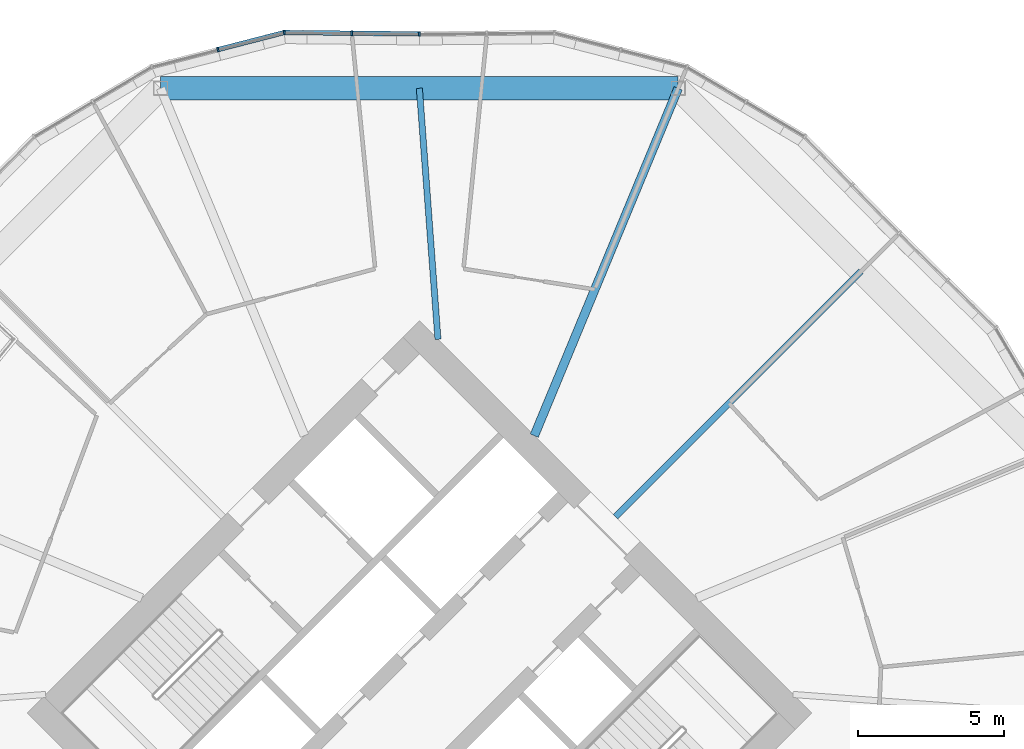
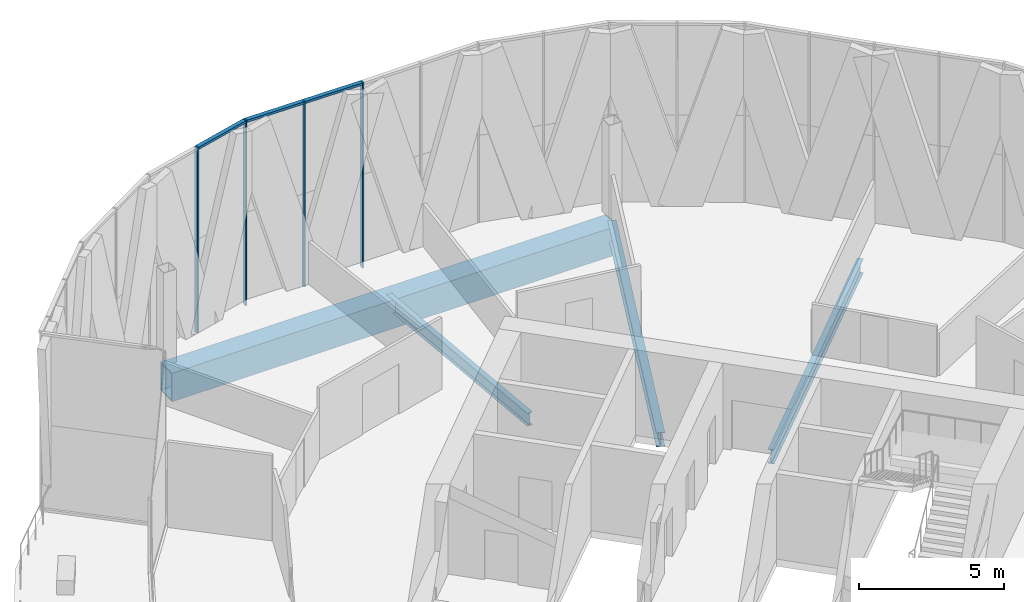
# One storey, part 16 of 31: 7 members, 4 beams, 2 elements without a shape of their own.
"""IFC4 building model written with IfcOpenShell, lengths in metres."""

from ifc_helpers import new_model, si_unit, direction, frame, origin, origin_2d, place, context, subcontext, project, spatial, rectangle, hollow_rectangle, i_section, extrude, material, material_profile, profile_set, type_object, element, aggregate, save


model = new_model("IFC4")

# Units and contexts
model_context = context("Model", 3, precision=1e-05, world=origin(), true_north=direction((0.0, 1.0)))
body_context = subcontext(model_context, "Body", "Model", "MODEL_VIEW")
ifc_project = project(units=[si_unit("LENGTHUNIT", "METRE"), si_unit("AREAUNIT", "SQUARE_METRE"), si_unit("VOLUMEUNIT", "CUBIC_METRE"), si_unit("PLANEANGLEUNIT", "RADIAN"), si_unit("MASSUNIT", "GRAM", prefix="KILO")], contexts=[model_context])

# Site, building, storey
site_placement = place(None, origin())
site = spatial("IfcSite", under=ifc_project, at=site_placement, CompositionType="ELEMENT")
building_placement = place(site_placement, origin())
building = spatial("IfcBuilding", under=site, at=building_placement, Name="Ogive Gate Towers", CompositionType="ELEMENT")
storey_placement = place(building_placement, frame((0.0, 0.0, 107.39990234375)))
storey = spatial("IfcBuildingStorey", under=building, at=storey_placement, Name="L25", CompositionType="ELEMENT", Elevation=107.39990234375)

# Beams
ifc_material_1 = material(Name="Steel SM460", Category="steel")
ifc_material_profile_1 = material_profile(ifc_material_1, hollow_rectangle(XDim=0.800048828125, YDim=1.199951171875, WallThickness=0.050048828125, at=origin_2d()), Name="BX 1200x800x50")
ifc_profile_set_1 = profile_set([ifc_material_profile_1], Name="Steel SM460")
beam_type_1 = type_object("IfcBeamType", Name="Edge girder BX 1200x800x50", PredefinedType="BEAM", material=ifc_profile_set_1)
beam_1_placement = place(storey_placement, frame((44.863037109375, 21.39697265625, -0.89990234375), z_axis=(-1.0, 0.0, 0.0), x_axis=(0.0, -1.0, 0.0)))
element("IfcBeam", 1, at=beam_1_placement, inside=storey, type_object=beam_type_1, Name="T2/L25/SBM022", PredefinedType="BEAM", context=body_context, shape_type="SweptSolid", body=[
    extrude(hollow_rectangle(XDim=0.800048828125, YDim=1.199951171875, WallThickness=0.050048828125, at=origin_2d()), origin(), (0.0, 0.0, 1.0), 17.72607421875),
])
ifc_material_2 = material(Name="Steel SM355", Category="steel")
ifc_material_profile_2 = material_profile(ifc_material_2, i_section(OverallWidth=0.300048828125, OverallDepth=0.590087890625, WebThickness=0.012939453125, FlangeThickness=0.02490234375, FilletRadius=0.027099609375, at=origin_2d()), Name="HE 600 A")
ifc_profile_set_2 = profile_set([ifc_material_profile_2], Name="Steel SM355")
beam_type_2 = type_object("IfcBeamType", Name="Radial floor beam HE 600 A", PredefinedType="BEAM", material=ifc_profile_set_2)
beam_2_placement = place(storey_placement, frame((39.93505859375, 9.5, -0.594970703125), z_axis=(0.382689470177, 0.923877031545, 0.0), x_axis=(-0.923877031545, 0.382689470177, 0.0)))
element("IfcBeam", 2, at=beam_2_placement, inside=storey, type_object=beam_type_2, Name="T2/L25/SBM011", PredefinedType="BEAM", context=body_context, shape_type="SweptSolid", body=[
    extrude(i_section(OverallWidth=0.300048828125, OverallDepth=0.590087890625, WebThickness=0.012939453125, FlangeThickness=0.02490234375, FilletRadius=0.027099609375, at=origin_2d()), origin(), (0.0, 0.0, 1.0), 12.877197265625),
])
ifc_material_profile_3 = material_profile(ifc_material_2, i_section(OverallWidth=0.2099609375, OverallDepth=0.550048828125, WebThickness=0.010986328125, FlangeThickness=0.01708984375, FilletRadius=0.02392578125, at=origin_2d()), Name="IPE 550")
ifc_profile_set_3 = profile_set([ifc_material_profile_3], Name="Steel SM355")
beam_type_3 = type_object("IfcBeamType", Name="Radial floor beam IPE 550", PredefinedType="BEAM", material=ifc_profile_set_3)
beam_3_placement = place(storey_placement, frame((36.636474609375, 12.798583984375, -0.574951171875), z_axis=(-0.07382057702, 0.997271538954, 0.0), x_axis=(-0.997271538954, -0.07382057702, 0.0)))
element("IfcBeam", 3, at=beam_3_placement, inside=storey, type_object=beam_type_3, Name="T2/L25/SBM012", PredefinedType="BEAM", context=body_context, shape_type="SweptSolid", body=[
    extrude(i_section(OverallWidth=0.2099609375, OverallDepth=0.550048828125, WebThickness=0.010986328125, FlangeThickness=0.01708984375, FilletRadius=0.02392578125, at=origin_2d()), origin(), (0.0, 0.0, 1.0), 8.621826171875),
])
ifc_material_profile_4 = material_profile(ifc_material_2, i_section(OverallWidth=0.219970703125, OverallDepth=0.60009765625, WebThickness=0.011962890625, FlangeThickness=0.01904296875, FilletRadius=0.02392578125, at=origin_2d()), Name="IPE 600")
ifc_profile_set_4 = profile_set([ifc_material_profile_4], Name="Steel SM355")
beam_type_4 = type_object("IfcBeamType", Name="Radial floor beam IPE 600", PredefinedType="BEAM", material=ifc_profile_set_4)
beam_4_placement = place(storey_placement, frame((42.717529296875, 6.717529296875, -0.599853515625), z_axis=(0.707106781187, 0.707106781187, 0.0), x_axis=(-0.707106781187, 0.707106781187, 0.0)))
element("IfcBeam", 4, at=beam_4_placement, inside=storey, type_object=beam_type_4, Name="T2/L25/SBM010", PredefinedType="BEAM", context=body_context, shape_type="SweptSolid", body=[
    extrude(i_section(OverallWidth=0.219970703125, OverallDepth=0.60009765625, WebThickness=0.011962890625, FlangeThickness=0.01904296875, FilletRadius=0.02392578125, at=origin_2d()), origin(), (0.0, 0.0, 1.0), 11.89697265625),
])

# Curtain wall, member
ifc_material_3 = material(Name="Pale metal aluminium", Category="aluminium")
curtain_wall_type = type_object("IfcCurtainWallType", Name="Tower unitised wall, low zone", PredefinedType="NOTDEFINED", material=ifc_material_3)
curtain_wall_1_placement = place(storey_placement, origin())
curtain_wall_1 = element("IfcCurtainWall", 5, at=curtain_wall_1_placement, inside=storey, type_object=curtain_wall_type, Name="CW1 T2 ECW04", PredefinedType="NOTDEFINED")
ifc_material_profile_5 = material_profile(ifc_material_3, rectangle(XDim=0.159912109375, YDim=0.06005859375, at=origin_2d()), Name="60 x 160 aluminium box")
ifc_profile_set_5 = profile_set([ifc_material_profile_5], Name="Pale metal aluminium")
member_type_1 = type_object("IfcMemberType", Name="Tower unitised wall, low zone mullion 60 x 160", PredefinedType="MULLION", material=ifc_profile_set_5)
member_1_placement = place(storey_placement, frame((35.999755859375, 23.260009765625, -0.2998046875), z_axis=(0.0, 0.0, 1.0), x_axis=(0.009895855338, -0.999951034825, 0.0)))
member_1 = element("IfcMember", 6, at=member_1_placement, type_object=member_type_1, Name="CW1 mullion", PredefinedType="MULLION", context=body_context, shape_type="SweptSolid", body=[
    extrude(rectangle(XDim=0.159912109375, YDim=0.06005859375, at=origin_2d()), origin(), (0.0, 0.0, 1.0), 7.7998046875),
])
aggregate(curtain_wall_1, [member_1])

# Curtain wall, members
curtain_wall_2_placement = place(storey_placement, origin())
curtain_wall_2 = element("IfcCurtainWall", 7, at=curtain_wall_2_placement, inside=storey, type_object=curtain_wall_type, Name="CW1 T2 ECW05", PredefinedType="NOTDEFINED")
member_2_placement = place(storey_placement, frame((29.10205078125, 22.7216796875, -0.2998046875), z_axis=(0.0, 0.0, 1.0), x_axis=(0.249129390641, -0.968470209515, 0.0)))
member_2 = element("IfcMember", 8, at=member_2_placement, type_object=member_type_1, Name="CW1 mullion", PredefinedType="MULLION", context=body_context, shape_type="SweptSolid", body=[
    extrude(rectangle(XDim=0.159912109375, YDim=0.06005859375, at=origin_2d()), origin(), (0.0, 0.0, 1.0), 7.7998046875),
])
member_3_placement = place(storey_placement, frame((31.37353515625, 23.305908203125, -0.2998046875), z_axis=(0.0, 0.0, 1.0), x_axis=(0.120639303069, -0.99269640805, 0.0)))
member_3 = element("IfcMember", 9, at=member_3_placement, type_object=member_type_1, Name="CW1 mullion", PredefinedType="MULLION", context=body_context, shape_type="SweptSolid", body=[
    extrude(rectangle(XDim=0.159912109375, YDim=0.06005859375, at=origin_2d()), origin(), (0.0, 0.0, 1.0), 7.7998046875),
])
member_4_placement = place(storey_placement, frame((33.68798828125, 23.282958984375, -0.2998046875), z_axis=(0.0, 0.0, 1.0), x_axis=(-0.009930760208, -0.999950688785, 0.0)))
member_4 = element("IfcMember", 10, at=member_4_placement, type_object=member_type_1, Name="CW1 mullion", PredefinedType="MULLION", context=body_context, shape_type="SweptSolid", body=[
    extrude(rectangle(XDim=0.159912109375, YDim=0.06005859375, at=origin_2d()), origin(), (0.0, 0.0, 1.0), 7.7998046875),
])
ifc_material_profile_6 = material_profile(ifc_material_3, rectangle(XDim=0.159912109375, YDim=0.10009765625, at=origin_2d()), Name="100 x 160 aluminium box")
ifc_profile_set_6 = profile_set([ifc_material_profile_6], Name="Pale metal aluminium")
member_type_2 = type_object("IfcMemberType", Name="Tower unitised wall, low zone transom 100 x 160", PredefinedType="USERDEFINED", material=ifc_profile_set_6)
member_5_placement = place(storey_placement, frame((29.131103515625, 22.72900390625, 7.4501953125), z_axis=(0.968452382745, 0.249198680485, 0.0), x_axis=(-0.249198680485, 0.968452382745, 0.0)))
member_5 = element("IfcMember", 11, at=member_5_placement, type_object=member_type_2, Name="CW1 transom", ObjectType="TRANSOM", PredefinedType="USERDEFINED", context=body_context, shape_type="SweptSolid", body=[
    extrude(rectangle(XDim=0.159912109375, YDim=0.10009765625, at=origin_2d()), origin(), (0.0, 0.0, 1.0), 2.28271484375),
])
member_6_placement = place(storey_placement, frame((31.406005859375, 23.3056640625, 7.4501953125), z_axis=(0.999950274345, -0.00997240382, 0.0), x_axis=(0.00997240382, 0.999950274345, 0.0)))
member_6 = element("IfcMember", 12, at=member_6_placement, type_object=member_type_2, Name="CW1 transom", ObjectType="TRANSOM", PredefinedType="USERDEFINED", context=body_context, shape_type="SweptSolid", body=[
    extrude(rectangle(XDim=0.159912109375, YDim=0.10009765625, at=origin_2d()), origin(), (0.0, 0.0, 1.0), 2.252197265625),
])
member_7_placement = place(storey_placement, frame((33.718017578125, 23.28271484375, 7.4501953125), z_axis=(0.999950274345, -0.00997240382, 0.0), x_axis=(0.00997240382, 0.999950274345, 0.0)))
member_7 = element("IfcMember", 13, at=member_7_placement, type_object=member_type_2, Name="CW1 transom", ObjectType="TRANSOM", PredefinedType="USERDEFINED", context=body_context, shape_type="SweptSolid", body=[
    extrude(rectangle(XDim=0.159912109375, YDim=0.10009765625, at=origin_2d()), origin(), (0.0, 0.0, 1.0), 2.252197265625),
])
aggregate(curtain_wall_2, [member_2, member_3, member_5, member_4, member_6, member_7])

save(model, "model.ifc")
